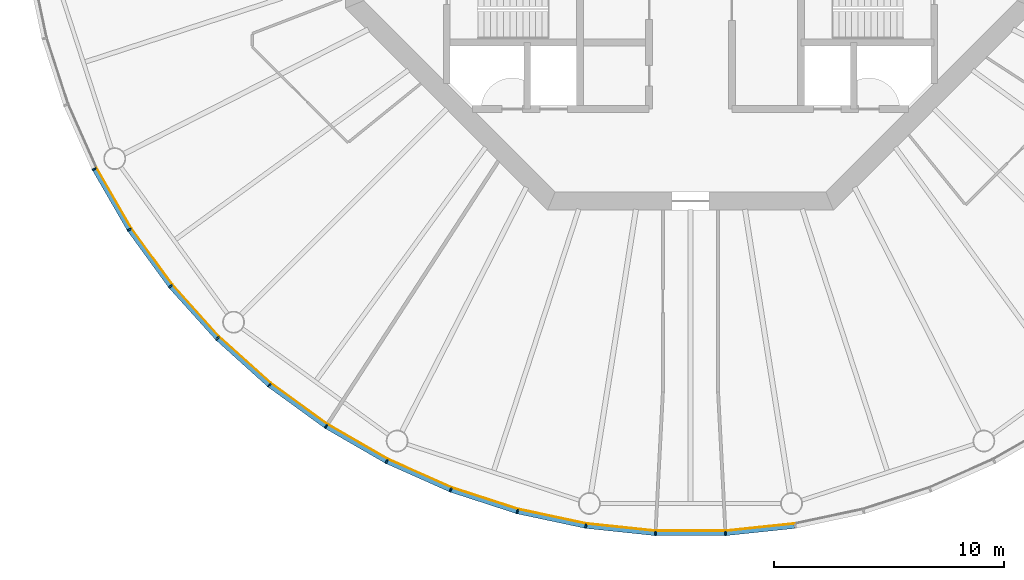
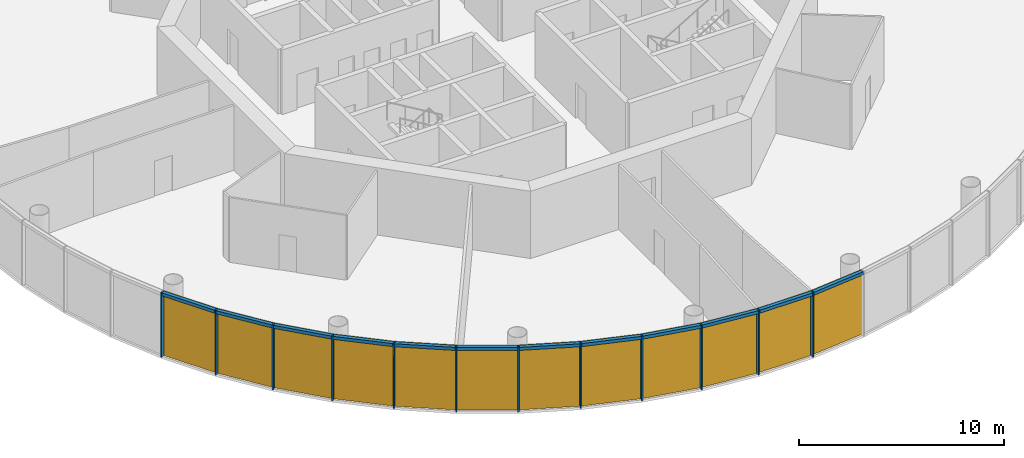
# One storey, part 7 of 13: 24 members, 4 curtain walls.
"""IFC4 building model written with IfcOpenShell, lengths in metres."""

from ifc_helpers import new_model, si_unit, direction, frame, origin, origin_2d, place, context, subcontext, project, spatial, polyline, rectangle, outline, extrude, material, layer, layer_set, material_profile, profile_set, type_object, element, aggregate, save


model = new_model("IFC4")

# Units and contexts
model_context = context("Model", 3, precision=1e-05, world=origin(), true_north=direction((0.0, 1.0)))
body_context = subcontext(model_context, "Body", "Model", "MODEL_VIEW")
ifc_project = project(units=[si_unit("LENGTHUNIT", "METRE"), si_unit("AREAUNIT", "SQUARE_METRE"), si_unit("VOLUMEUNIT", "CUBIC_METRE"), si_unit("PLANEANGLEUNIT", "RADIAN"), si_unit("MASSUNIT", "GRAM", prefix="KILO")], contexts=[model_context])

# Member
ifc_material_1 = material(Name="Anodised aluminium", Category="aluminium")
ifc_material_profile_1 = material_profile(ifc_material_1, rectangle(XDim=0.06494140625, YDim=0.195068359375, at=origin_2d()), Name="Mullion 65 x 195 mm anodised aluminium")
ifc_profile_set_1 = profile_set([ifc_material_profile_1], Name="Anodised aluminium")
member_type_1 = type_object("IfcMemberType", Name="Mullion 65 x 195 mm anodised aluminium", PredefinedType="MULLION", material=ifc_profile_set_1)
site_placement = place(None, origin())
building_placement = place(site_placement, origin())
storey_placement = place(building_placement, frame((0.0, 0.0, 302.0)))
member_1_placement = place(storey_placement, frame((64.073974609375, 66.7900390625, 0.0), z_axis=(0.0, 0.0, 1.0), x_axis=(0.45399049974, -0.891006524188, 0.0)))
member_1 = element("IfcMember", 1, at=member_1_placement, type_object=member_type_1, Name="MULLION L69-33", PredefinedType="MULLION", context=body_context, shape_type="SweptSolid", body=[
    extrude(rectangle(XDim=0.06494140625, YDim=0.195068359375, at=origin_2d()), origin(), (0.0, 0.0, 1.0), 3.85009765625),
])

member_2_placement = place(storey_placement, frame((65.5966796875, 64.15234375, 0.0), z_axis=(0.0, 0.0, 1.0), x_axis=(0.544639035015, -0.838670567945, 0.0)))
member_2 = element("IfcMember", 2, at=member_2_placement, type_object=member_type_1, Name="MULLION L69-34", PredefinedType="MULLION", context=body_context, shape_type="SweptSolid", body=[
    extrude(rectangle(XDim=0.06494140625, YDim=0.195068359375, at=origin_2d()), origin(), (0.0, 0.0, 1.0), 3.85009765625),
])

member_3_placement = place(storey_placement, frame((67.386962890625, 61.688232421875, 0.0), z_axis=(0.0, 0.0, 1.0), x_axis=(0.62932039105, -0.777145961457, 0.0)))
member_3 = element("IfcMember", 3, at=member_3_placement, type_object=member_type_1, Name="MULLION L69-35", PredefinedType="MULLION", context=body_context, shape_type="SweptSolid", body=[
    extrude(rectangle(XDim=0.06494140625, YDim=0.195068359375, at=origin_2d()), origin(), (0.0, 0.0, 1.0), 3.85009765625),
])

member_4_placement = place(storey_placement, frame((69.425048828125, 59.425048828125, 0.0), z_axis=(0.0, 0.0, 1.0), x_axis=(0.707106781187, -0.707106781187, 0.0)))
member_4 = element("IfcMember", 4, at=member_4_placement, type_object=member_type_1, Name="MULLION L69-36", PredefinedType="MULLION", context=body_context, shape_type="SweptSolid", body=[
    extrude(rectangle(XDim=0.06494140625, YDim=0.195068359375, at=origin_2d()), origin(), (0.0, 0.0, 1.0), 3.85009765625),
])

member_5_placement = place(storey_placement, frame((71.688232421875, 57.386962890625, 0.0), z_axis=(0.0, 0.0, 1.0), x_axis=(0.777145961457, -0.62932039105, 0.0)))
member_5 = element("IfcMember", 5, at=member_5_placement, type_object=member_type_1, Name="MULLION L69-37", PredefinedType="MULLION", context=body_context, shape_type="SweptSolid", body=[
    extrude(rectangle(XDim=0.06494140625, YDim=0.195068359375, at=origin_2d()), origin(), (0.0, 0.0, 1.0), 3.85009765625),
])

member_6_placement = place(storey_placement, frame((74.15234375, 55.5966796875, 0.0), z_axis=(0.0, 0.0, 1.0), x_axis=(0.838670567945, -0.544639035015, 0.0)))
member_6 = element("IfcMember", 6, at=member_6_placement, type_object=member_type_1, Name="MULLION L69-38", PredefinedType="MULLION", context=body_context, shape_type="SweptSolid", body=[
    extrude(rectangle(XDim=0.06494140625, YDim=0.195068359375, at=origin_2d()), origin(), (0.0, 0.0, 1.0), 3.85009765625),
])

member_7_placement = place(storey_placement, frame((76.7900390625, 54.073974609375, 0.0), z_axis=(0.0, 0.0, 1.0), x_axis=(0.891006524188, -0.45399049974, 0.0)))
member_7 = element("IfcMember", 7, at=member_7_placement, type_object=member_type_1, Name="MULLION L69-39", PredefinedType="MULLION", context=body_context, shape_type="SweptSolid", body=[
    extrude(rectangle(XDim=0.06494140625, YDim=0.195068359375, at=origin_2d()), origin(), (0.0, 0.0, 1.0), 3.85009765625),
])

member_8_placement = place(storey_placement, frame((79.572509765625, 52.835205078125, 0.0), z_axis=(0.0, 0.0, 1.0), x_axis=(0.933580426497, -0.358367949545, 0.0)))
member_8 = element("IfcMember", 8, at=member_8_placement, type_object=member_type_1, Name="MULLION L69-40", PredefinedType="MULLION", context=body_context, shape_type="SweptSolid", body=[
    extrude(rectangle(XDim=0.06494140625, YDim=0.195068359375, at=origin_2d()), origin(), (0.0, 0.0, 1.0), 3.85009765625),
])

member_9_placement = place(storey_placement, frame((82.468994140625, 51.89404296875, 0.0), z_axis=(0.0, 0.0, 1.0), x_axis=(0.965925826289, -0.258819045103, 0.0)))
member_9 = element("IfcMember", 9, at=member_9_placement, type_object=member_type_1, Name="MULLION L69-41", PredefinedType="MULLION", context=body_context, shape_type="SweptSolid", body=[
    extrude(rectangle(XDim=0.06494140625, YDim=0.195068359375, at=origin_2d()), origin(), (0.0, 0.0, 1.0), 3.85009765625),
])

member_10_placement = place(storey_placement, frame((85.4482421875, 51.2607421875, 0.0), z_axis=(0.0, 0.0, 1.0), x_axis=(0.987688340595, -0.15643446504, 0.0)))
member_10 = element("IfcMember", 10, at=member_10_placement, type_object=member_type_1, Name="MULLION L69-42", PredefinedType="MULLION", context=body_context, shape_type="SweptSolid", body=[
    extrude(rectangle(XDim=0.06494140625, YDim=0.195068359375, at=origin_2d()), origin(), (0.0, 0.0, 1.0), 3.85009765625),
])

member_11_placement = place(storey_placement, frame((88.47705078125, 50.9423828125, 0.0), z_axis=(0.0, 0.0, 1.0), x_axis=(0.998629534755, -0.052335956243, 0.0)))
member_11 = element("IfcMember", 11, at=member_11_placement, type_object=member_type_1, Name="MULLION L69-43", PredefinedType="MULLION", context=body_context, shape_type="SweptSolid", body=[
    extrude(rectangle(XDim=0.06494140625, YDim=0.195068359375, at=origin_2d()), origin(), (0.0, 0.0, 1.0), 3.85009765625),
])

member_12_placement = place(storey_placement, frame((91.52294921875, 50.9423828125, 0.0), z_axis=(0.0, 0.0, 1.0), x_axis=(0.998629534755, 0.052335956243, 0.0)))
member_12 = element("IfcMember", 12, at=member_12_placement, type_object=member_type_1, Name="MULLION L69-44", PredefinedType="MULLION", context=body_context, shape_type="SweptSolid", body=[
    extrude(rectangle(XDim=0.06494140625, YDim=0.195068359375, at=origin_2d()), origin(), (0.0, 0.0, 1.0), 3.85009765625),
])

ifc_material_2 = material(Name="Anodised aluminium", Category="aluminium")
ifc_material_profile_2 = material_profile(ifc_material_2, rectangle(XDim=0.195068359375, YDim=0.179931640625, at=origin_2d()), Name="Transom 180 x 195 mm anodised aluminium")
ifc_profile_set_2 = profile_set([ifc_material_profile_2], Name="Anodised aluminium")
member_type_2 = type_object("IfcMemberType", Name="Transom 180 x 195 mm anodised aluminium", PredefinedType="USERDEFINED", material=ifc_profile_set_2)
member_13_placement = place(storey_placement, frame((64.092529296875, 66.75732421875, 3.760009765625), z_axis=(0.500028367561, -0.866009025146, 0.0), x_axis=(0.866009025146, 0.500028367561, 0.0)))
member_13 = element("IfcMember", 13, at=member_13_placement, type_object=member_type_2, Name="TRANSOM L69-33", ObjectType="TRANSOM", PredefinedType="USERDEFINED", context=body_context, shape_type="SweptSolid", body=[
    extrude(rectangle(XDim=0.195068359375, YDim=0.179931640625, at=origin_2d()), origin(), (0.0, 0.0, 1.0), 2.970458984375),
])

member_14_placement = place(storey_placement, frame((65.618896484375, 64.121826171875, 3.760009765625), z_axis=(0.587765987476, -0.809030990733, 0.0), x_axis=(0.809030990733, 0.587765987476, 0.0)))
member_14 = element("IfcMember", 14, at=member_14_placement, type_object=member_type_2, Name="TRANSOM L69-34", ObjectType="TRANSOM", PredefinedType="USERDEFINED", context=body_context, shape_type="SweptSolid", body=[
    extrude(rectangle(XDim=0.195068359375, YDim=0.179931640625, at=origin_2d()), origin(), (0.0, 0.0, 1.0), 2.97021484375),
])

member_15_placement = place(storey_placement, frame((67.412109375, 61.660400390625, 3.760009765625), z_axis=(0.669110027395, -0.743163354343, 0.0), x_axis=(0.743163354343, 0.669110027395, 0.0)))
member_15 = element("IfcMember", 15, at=member_15_placement, type_object=member_type_2, Name="TRANSOM L69-35", ObjectType="TRANSOM", PredefinedType="USERDEFINED", context=body_context, shape_type="SweptSolid", body=[
    extrude(rectangle(XDim=0.195068359375, YDim=0.179931640625, at=origin_2d()), origin(), (0.0, 0.0, 1.0), 2.970458984375),
])

member_16_placement = place(storey_placement, frame((69.452880859375, 59.399658203125, 3.760009765625), z_axis=(0.743163354343, -0.669110027395, 0.0), x_axis=(0.669110027395, 0.743163354343, 0.0)))
member_16 = element("IfcMember", 16, at=member_16_placement, type_object=member_type_2, Name="TRANSOM L69-36", ObjectType="TRANSOM", PredefinedType="USERDEFINED", context=body_context, shape_type="SweptSolid", body=[
    extrude(rectangle(XDim=0.195068359375, YDim=0.179931640625, at=origin_2d()), origin(), (0.0, 0.0, 1.0), 2.970458984375),
])

member_17_placement = place(storey_placement, frame((71.71875, 57.36474609375, 3.760009765625), z_axis=(0.809030990733, -0.587765987476, 0.0), x_axis=(0.587765987476, 0.809030990733, 0.0)))
member_17 = element("IfcMember", 17, at=member_17_placement, type_object=member_type_2, Name="TRANSOM L69-37", ObjectType="TRANSOM", PredefinedType="USERDEFINED", context=body_context, shape_type="SweptSolid", body=[
    extrude(rectangle(XDim=0.195068359375, YDim=0.179931640625, at=origin_2d()), origin(), (0.0, 0.0, 1.0), 2.97021484375),
])

member_18_placement = place(storey_placement, frame((74.184814453125, 55.577880859375, 3.760009765625), z_axis=(0.866009025146, -0.500028367561, 0.0), x_axis=(0.500028367561, 0.866009025146, 0.0)))
member_18 = element("IfcMember", 18, at=member_18_placement, type_object=member_type_2, Name="TRANSOM L69-38", ObjectType="TRANSOM", PredefinedType="USERDEFINED", context=body_context, shape_type="SweptSolid", body=[
    extrude(rectangle(XDim=0.195068359375, YDim=0.179931640625, at=origin_2d()), origin(), (0.0, 0.0, 1.0), 2.970458984375),
])

member_19_placement = place(storey_placement, frame((76.82421875, 54.05859375, 3.760009765625), z_axis=(0.913550406593, -0.406725527369, 0.0), x_axis=(0.406725527369, 0.913550406593, 0.0)))
member_19 = element("IfcMember", 19, at=member_19_placement, type_object=member_type_2, Name="TRANSOM L69-39", ObjectType="TRANSOM", PredefinedType="USERDEFINED", context=body_context, shape_type="SweptSolid", body=[
    extrude(rectangle(XDim=0.195068359375, YDim=0.179931640625, at=origin_2d()), origin(), (0.0, 0.0, 1.0), 2.970703125),
])

member_20_placement = place(storey_placement, frame((79.608154296875, 52.823486328125, 3.760009765625), z_axis=(0.951047960094, -0.309043326415, 0.0), x_axis=(0.309043326415, 0.951047960094, 0.0)))
member_20 = element("IfcMember", 20, at=member_20_placement, type_object=member_type_2, Name="TRANSOM L69-40", ObjectType="TRANSOM", PredefinedType="USERDEFINED", context=body_context, shape_type="SweptSolid", body=[
    extrude(rectangle(XDim=0.195068359375, YDim=0.179931640625, at=origin_2d()), origin(), (0.0, 0.0, 1.0), 2.970458984375),
])

member_21_placement = place(storey_placement, frame((82.505859375, 51.885986328125, 3.760009765625), z_axis=(0.978141510112, -0.207940342877, 0.0), x_axis=(0.207940342877, 0.978141510112, 0.0)))
member_21 = element("IfcMember", 21, at=member_21_placement, type_object=member_type_2, Name="TRANSOM L69-41", ObjectType="TRANSOM", PredefinedType="USERDEFINED", context=body_context, shape_type="SweptSolid", body=[
    extrude(rectangle(XDim=0.195068359375, YDim=0.179931640625, at=origin_2d()), origin(), (0.0, 0.0, 1.0), 2.970458984375),
])

member_22_placement = place(storey_placement, frame((85.485595703125, 51.256591796875, 3.760009765625), z_axis=(0.994528397827, -0.104466577987, 0.0), x_axis=(0.104466577987, 0.994528397827, 0.0)))
member_22 = element("IfcMember", 22, at=member_22_placement, type_object=member_type_2, Name="TRANSOM L69-42", ObjectType="TRANSOM", PredefinedType="USERDEFINED", context=body_context, shape_type="SweptSolid", body=[
    extrude(rectangle(XDim=0.195068359375, YDim=0.179931640625, at=origin_2d()), origin(), (0.0, 0.0, 1.0), 2.970458984375),
])

member_23_placement = place(storey_placement, frame((88.5146484375, 50.942138671875, 3.760009765625), z_axis=(1.0, 0.0, 0.0), x_axis=(0.0, 1.0, 0.0)))
member_23 = element("IfcMember", 23, at=member_23_placement, type_object=member_type_2, Name="TRANSOM L69-43", ObjectType="TRANSOM", PredefinedType="USERDEFINED", context=body_context, shape_type="SweptSolid", body=[
    extrude(rectangle(XDim=0.195068359375, YDim=0.179931640625, at=origin_2d()), origin(), (0.0, 0.0, 1.0), 2.970703125),
])

member_24_placement = place(storey_placement, frame((91.560302734375, 50.9462890625, 3.760009765625), z_axis=(0.994528397827, 0.104466577987, 0.0), x_axis=(-0.104466577987, 0.994528397827, 0.0)))
member_24 = element("IfcMember", 24, at=member_24_placement, type_object=member_type_2, Name="TRANSOM L69-44", ObjectType="TRANSOM", PredefinedType="USERDEFINED", context=body_context, shape_type="SweptSolid", body=[
    extrude(rectangle(XDim=0.195068359375, YDim=0.179931640625, at=origin_2d()), origin(), (0.0, 0.0, 1.0), 2.970458984375),
])

# Site, building, storey
site = spatial("IfcSite", under=ifc_project, at=site_placement, CompositionType="ELEMENT")
building = spatial("IfcBuilding", under=site, at=building_placement, Name="Entoto Ring Tower", CompositionType="ELEMENT")
storey = spatial("IfcBuildingStorey", under=building, at=storey_placement, Name="L69", CompositionType="ELEMENT", Elevation=302.0)

# Curtain wall
ifc_material_3 = material(Name="Clear low-iron glass", Category="glass")
ifc_layer = layer(ifc_material_3, 0.033935546875)
ifc_layer_set = layer_set([ifc_layer], Name="Clear low-iron glass")
curtain_wall_type = type_object("IfcCurtainWallType", Name="Curtain wall system CW5 glazing 34 mm", PredefinedType="NOTDEFINED", material=ifc_layer_set)
curtain_wall_1_placement = place(storey_placement, origin())
curtain_wall_1 = element("IfcCurtainWall", 25, at=curtain_wall_1_placement, inside=storey, type_object=curtain_wall_type, Name="CW5 L69-12", PredefinedType="NOTDEFINED", context=body_context, shape_type="SweptSolid", body=[
    extrude(outline(polyline([(64.160888671875, 66.834228515625), (65.678466796875, 64.20556640625), (67.462646484375, 61.749755859375), (69.493896484375, 59.493896484375), (69.51806640625, 59.51806640625), (67.4892578125, 61.771240234375), (65.70703125, 64.22412109375), (64.191162109375, 66.849853515625), (64.160888671875, 66.834228515625)])), origin(), (0.0, 0.0, 1.0), 3.85009765625),
])

aggregate(curtain_wall_1, [member_1, member_2, member_3, member_13, member_14, member_15])

curtain_wall_2_placement = place(storey_placement, origin())
curtain_wall_2 = element("IfcCurtainWall", 26, at=curtain_wall_2_placement, inside=storey, type_object=curtain_wall_type, Name="CW5 L69-13", PredefinedType="NOTDEFINED", context=body_context, shape_type="SweptSolid", body=[
    extrude(outline(polyline([(69.493896484375, 59.493896484375), (71.749755859375, 57.462646484375), (74.20556640625, 55.678466796875), (76.834228515625, 54.160888671875), (76.849853515625, 54.191162109375), (74.22412109375, 55.70703125), (71.771240234375, 57.4892578125), (69.51806640625, 59.51806640625), (69.493896484375, 59.493896484375)])), origin(), (0.0, 0.0, 1.0), 3.85009765625),
])

aggregate(curtain_wall_2, [member_4, member_5, member_6, member_16, member_17, member_18])

curtain_wall_3_placement = place(storey_placement, origin())
curtain_wall_3 = element("IfcCurtainWall", 27, at=curtain_wall_3_placement, inside=storey, type_object=curtain_wall_type, Name="CW5 L69-14", PredefinedType="NOTDEFINED", context=body_context, shape_type="SweptSolid", body=[
    extrude(outline(polyline([(76.834228515625, 54.160888671875), (79.607421875, 52.92626953125), (82.494140625, 51.988037109375), (85.46337890625, 51.35693359375), (85.46875, 51.390625), (82.503173828125, 52.02099609375), (79.61962890625, 52.9580078125), (76.849853515625, 54.191162109375), (76.834228515625, 54.160888671875)])), origin(), (0.0, 0.0, 1.0), 3.85009765625),
])

aggregate(curtain_wall_3, [member_7, member_8, member_9, member_19, member_20, member_21])

curtain_wall_4_placement = place(storey_placement, origin())
curtain_wall_4 = element("IfcCurtainWall", 28, at=curtain_wall_4_placement, inside=storey, type_object=curtain_wall_type, Name="CW5 L69-15", PredefinedType="NOTDEFINED", context=body_context, shape_type="SweptSolid", body=[
    extrude(outline(polyline([(85.46337890625, 51.35693359375), (88.482177734375, 51.039794921875), (91.517822265625, 51.039794921875), (94.53662109375, 51.35693359375), (94.53125, 51.390625), (91.515869140625, 51.07373046875), (88.484130859375, 51.07373046875), (85.46875, 51.390625), (85.46337890625, 51.35693359375)])), origin(), (0.0, 0.0, 1.0), 3.85009765625),
])

aggregate(curtain_wall_4, [member_10, member_11, member_12, member_22, member_23, member_24])

save(model, "model.ifc")
